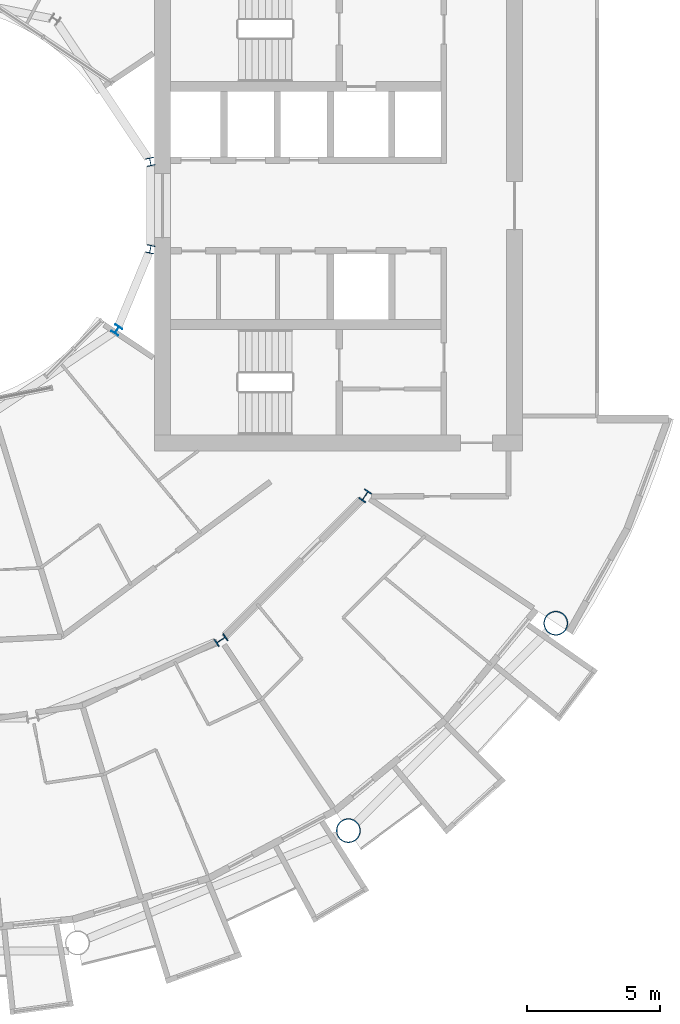
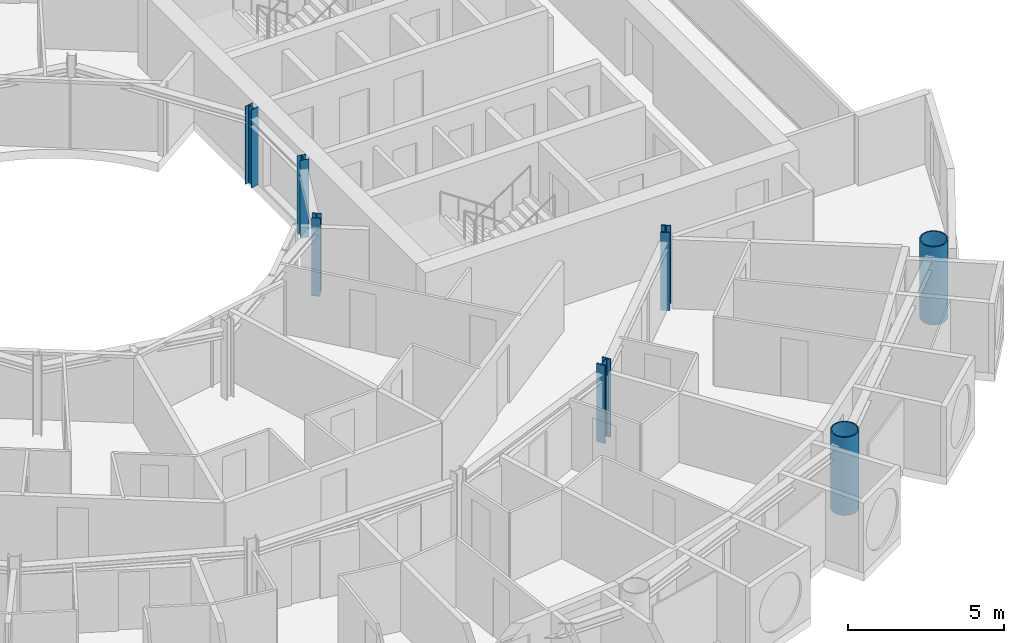
# One storey, part 2 of 26: 7 columns.
"""IFC4 building model written with IfcOpenShell, lengths in metres."""

from ifc_helpers import new_model, si_unit, direction, frame, origin, origin_2d, place, context, subcontext, project, spatial, hollow_circle, i_section, extrude, material, material_profile, profile_set, type_object, element, save


model = new_model("IFC4")

# Units and contexts
model_context = context("Model", 3, precision=1e-05, world=origin(), true_north=direction((0.0, 1.0)))
body_context = subcontext(model_context, "Body", "Model", "MODEL_VIEW")
ifc_project = project(units=[si_unit("LENGTHUNIT", "METRE"), si_unit("AREAUNIT", "SQUARE_METRE"), si_unit("VOLUMEUNIT", "CUBIC_METRE"), si_unit("PLANEANGLEUNIT", "RADIAN"), si_unit("MASSUNIT", "GRAM", prefix="KILO")], contexts=[model_context])

# Site, building, storey
site_placement = place(None, origin())
site = spatial("IfcSite", under=ifc_project, at=site_placement, CompositionType="ELEMENT")
building_placement = place(site_placement, origin())
building = spatial("IfcBuilding", under=site, at=building_placement, Name="Maasbend Ring Residences", CompositionType="ELEMENT")
storey_placement = place(building_placement, frame((0.0, 0.0, 123.85009765625)))
storey = spatial("IfcBuildingStorey", under=building, at=storey_placement, Name="L35", CompositionType="ELEMENT", Elevation=123.85009765625)

# Columns
ifc_material_1 = material(Name="Composite concrete-filled steel tube S460NH / C80/95", Category="concrete")
ifc_material_profile_1 = material_profile(ifc_material_1, hollow_circle(Radius=0.45703125, WallThickness=0.0400390625, at=origin_2d()), Name="Composite tube column CHS 914x40")
ifc_profile_set_1 = profile_set([ifc_material_profile_1], Name="Composite concrete-filled steel tube S460NH / C80/95")
column_type_1 = type_object("IfcColumnType", Name="Composite tube column CHS 914x40", PredefinedType="COLUMN", material=ifc_profile_set_1)
for number, where, z_axis, x_axis, name in (
    (1, (15.6669921875, -23.447509765625, 0.0), (0.0, 0.0, 1.0), (1.0, 0.0, 0.0), "Outer column R14"),
    (2, (23.447509765625, -15.6669921875, 0.0), (0.0, 0.0, 1.0), (1.0, 0.0, 0.0), "Outer column R15"),
):
    element("IfcColumn", number, at=place(storey_placement, frame(where, z_axis=z_axis, x_axis=x_axis)), inside=storey, type_object=column_type_1, Name=name, PredefinedType="COLUMN", context=body_context, shape_type="SweptSolid", body=[
        extrude(hollow_circle(Radius=0.45703125, WallThickness=0.0400390625, at=origin_2d()), origin(), (0.0, 0.0, 1.0), 3.0498046875),
    ])
ifc_material_2 = material(Name="Steel S355J2", Category="steel")
ifc_material_profile_2 = material_profile(ifc_material_2, i_section(OverallWidth=0.300048828125, OverallDepth=0.300048828125, WebThickness=0.010986328125, FlangeThickness=0.01904296875, FilletRadius=0.027099609375, at=origin_2d()), Name="HEB 300")
ifc_profile_set_2 = profile_set([ifc_material_profile_2], Name="Steel S355J2")
column_type_2 = type_object("IfcColumnType", Name="Steel column HEB 300", PredefinedType="COLUMN", material=ifc_profile_set_2)
for number, where, z_axis, x_axis, name in (
    (3, (8.238525390625, 1.638916015625, 0.0), (0.0, 0.0, 1.0), (0.980785280403, 0.195090322016, 0.0), "Well ring column R1"),
    (4, (6.984375, -4.666748046875, 0.0), (0.0, 0.0, 1.0), (0.831469612303, -0.55557023302, 0.0), "Well ring column R15"),
    (5, (8.238525390625, -1.638916015625, 0.0), (0.0, 0.0, 1.0), (0.980785280403, -0.195090322016, 0.0), "Well ring column R16"),
):
    element("IfcColumn", number, at=place(storey_placement, frame(where, z_axis=z_axis, x_axis=x_axis)), inside=storey, type_object=column_type_2, Name=name, PredefinedType="COLUMN", context=body_context, shape_type="SweptSolid", body=[
        extrude(i_section(OverallWidth=0.300048828125, OverallDepth=0.300048828125, WebThickness=0.010986328125, FlangeThickness=0.01904296875, FilletRadius=0.027099609375, at=origin_2d()), origin(), (0.0, 0.0, 1.0), 3.0498046875),
    ])
ifc_material_3 = material(Name="Steel S460M", Category="steel")
ifc_material_profile_3 = material_profile(ifc_material_3, i_section(OverallWidth=0.306884765625, OverallDepth=0.431884765625, WebThickness=0.02099609375, FlangeThickness=0.0400390625, FilletRadius=0.027099609375, at=origin_2d()), Name="HEM 400")
ifc_profile_set_3 = profile_set([ifc_material_profile_3], Name="Steel S460M")
column_type_3 = type_object("IfcColumnType", Name="Steel column HEM 400", PredefinedType="COLUMN", material=ifc_profile_set_3)
for number, where, z_axis, x_axis, name in (
    (6, (10.88916015625, -16.296875, 0.0), (0.0, 0.0, 1.0), (0.55557023302, -0.831469612303, 0.0), "Corridor ring column R14"),
    (7, (16.296875, -10.88916015625, 0.0), (0.0, 0.0, 1.0), (0.831469612303, -0.55557023302, 0.0), "Corridor ring column R15"),
):
    element("IfcColumn", number, at=place(storey_placement, frame(where, z_axis=z_axis, x_axis=x_axis)), inside=storey, type_object=column_type_3, Name=name, PredefinedType="COLUMN", context=body_context, shape_type="SweptSolid", body=[
        extrude(i_section(OverallWidth=0.306884765625, OverallDepth=0.431884765625, WebThickness=0.02099609375, FlangeThickness=0.0400390625, FilletRadius=0.027099609375, at=origin_2d()), origin(), (0.0, 0.0, 1.0), 3.0498046875),
    ])

save(model, "model.ifc")
